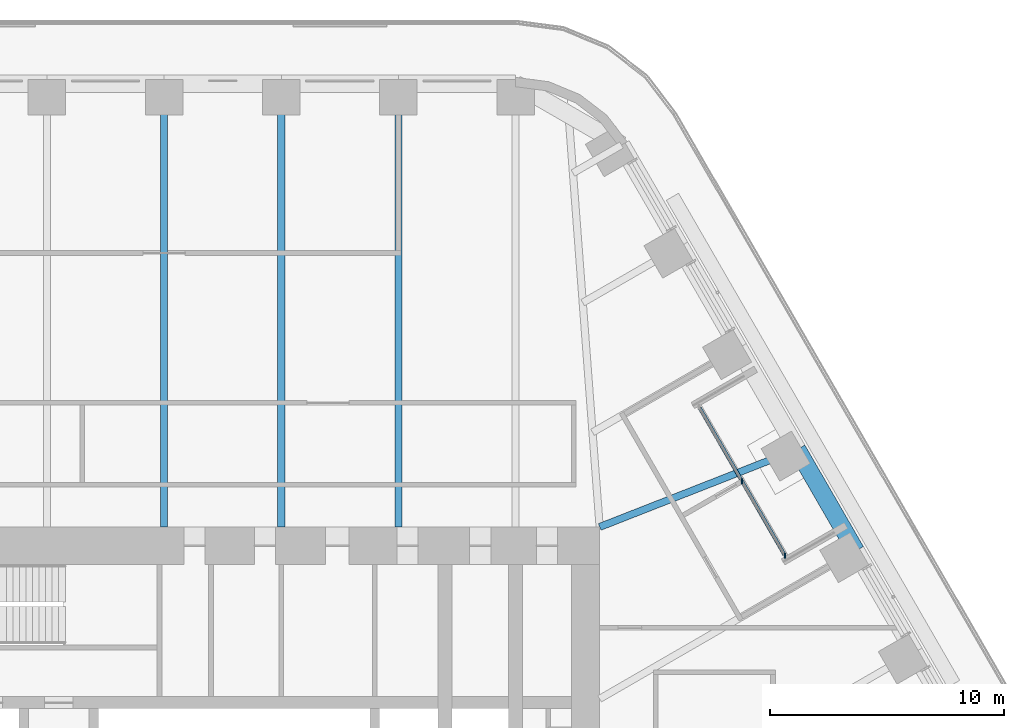
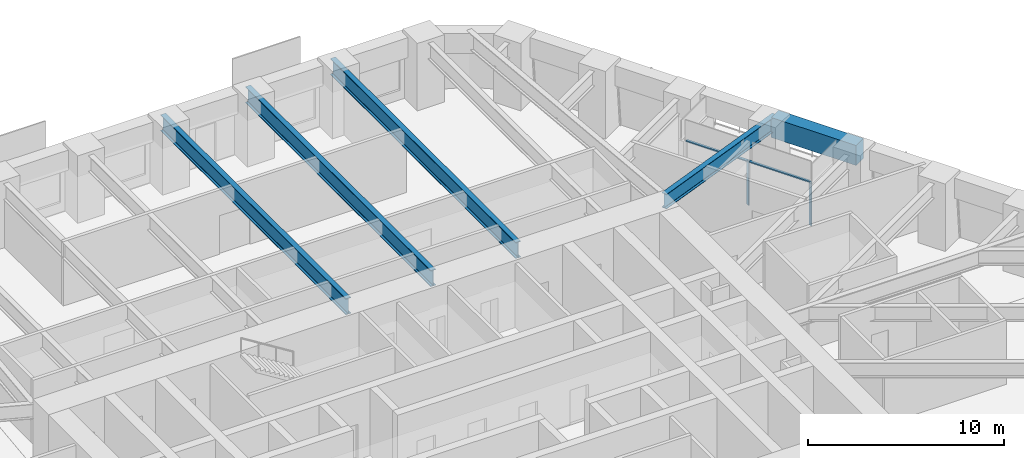
# One storey, part 11 of 24: 5 beams, 3 members, 1 element without a shape of its own.
"""IFC4 building model written with IfcOpenShell, lengths in metres."""

from ifc_helpers import new_model, si_unit, direction, frame, origin, origin_2d, place, context, subcontext, project, spatial, rectangle, i_section, extrude, material, material_profile, profile_set, type_object, element, aggregate, save


model = new_model("IFC4")

# Units and contexts
model_context = context("Model", 3, precision=1e-05, world=origin(), true_north=direction((0.0, 1.0)))
body_context = subcontext(model_context, "Body", "Model", "MODEL_VIEW")
ifc_project = project(units=[si_unit("LENGTHUNIT", "METRE"), si_unit("AREAUNIT", "SQUARE_METRE"), si_unit("VOLUMEUNIT", "CUBIC_METRE"), si_unit("PLANEANGLEUNIT", "RADIAN"), si_unit("MASSUNIT", "GRAM", prefix="KILO")], contexts=[model_context])

# Site, building, storey
site_placement = place(None, origin())
site = spatial("IfcSite", under=ifc_project, at=site_placement, CompositionType="ELEMENT")
building_placement = place(site_placement, origin())
building = spatial("IfcBuilding", under=site, at=building_placement, Name="Tarfa Lantern Tower", CompositionType="ELEMENT")
storey_placement = place(building_placement, frame((0.0, 0.0, 140.5)))
storey = spatial("IfcBuildingStorey", under=building, at=storey_placement, Name="L31", CompositionType="ELEMENT", Elevation=140.5)

# Curtain wall, members
ifc_material_1 = material(Name="Aluminium framed curtain wall", Category="aluminium")
curtain_wall_type = type_object("IfcCurtainWallType", Name="CW10 LOGGIA GLAZING 2750", PredefinedType="USERDEFINED", material=ifc_material_1)
curtain_wall_placement = place(storey_placement, origin())
curtain_wall = element("IfcCurtainWall", 1, at=curtain_wall_placement, inside=storey, type_object=curtain_wall_type, Name="CW10 NEL L31", ObjectType="CURTAIN WALL", PredefinedType="USERDEFINED")
ifc_material_2 = material(Name="Aluminium mullion", Category="aluminium")
ifc_material_profile_1 = material_profile(ifc_material_2, rectangle(XDim=0.06494140625, YDim=0.199951171875, at=origin_2d()), Name="AL MULLION 65x200")
ifc_profile_set_1 = profile_set([ifc_material_profile_1], Name="Aluminium mullion")
member_type_1 = type_object("IfcMemberType", Name="CWM1 MULLION 65x200", PredefinedType="MULLION", material=ifc_profile_set_1)
member_1_placement = place(storey_placement, frame((26.517333984375, 11.070556640625, 0.0), z_axis=(0.0, 0.0, 1.0), x_axis=(1.0, 0.0, 0.0)))
member_1 = element("IfcMember", 2, at=member_1_placement, type_object=member_type_1, Name="CW10 mullion 1", PredefinedType="MULLION", context=body_context, shape_type="SweptSolid", body=[
    extrude(rectangle(XDim=0.06494140625, YDim=0.199951171875, at=origin_2d()), origin(), (0.0, 0.0, 1.0), 2.75),
])
member_2_placement = place(storey_placement, frame((24.681640625, 14.25, 0.0), z_axis=(0.0, 0.0, 1.0), x_axis=(1.0, 0.0, 0.0)))
member_2 = element("IfcMember", 3, at=member_2_placement, type_object=member_type_1, Name="CW10 mullion 2", PredefinedType="MULLION", context=body_context, shape_type="SweptSolid", body=[
    extrude(rectangle(XDim=0.06494140625, YDim=0.199951171875, at=origin_2d()), origin(), (0.0, 0.0, 1.0), 2.75),
])
ifc_material_3 = material(Name="Aluminium transom", Category="aluminium")
ifc_material_profile_2 = material_profile(ifc_material_3, rectangle(XDim=0.14990234375, YDim=0.06494140625, at=origin_2d()), Name="AL TRANSOM 150x65")
ifc_profile_set_2 = profile_set([ifc_material_profile_2], Name="Aluminium transom")
member_type_2 = type_object("IfcMemberType", Name="CWT1 TRANSOM 150x65", PredefinedType="USERDEFINED", material=ifc_profile_set_2)
member_3_placement = place(storey_placement, frame((26.5009765625, 11.098876953125, 2.717529296875), z_axis=(-0.500007048974, 0.866021334019, 0.0), x_axis=(-0.866021334019, -0.500007048974, 0.0)))
member_3 = element("IfcMember", 4, at=member_3_placement, type_object=member_type_2, Name="CW10 transom 1.2", ObjectType="TRANSOM", PredefinedType="USERDEFINED", context=body_context, shape_type="SweptSolid", body=[
    extrude(rectangle(XDim=0.14990234375, YDim=0.06494140625, at=origin_2d()), origin(), (0.0, 0.0, 1.0), 7.27734375),
])
aggregate(curtain_wall, [member_1, member_2, member_3])

# Beams
ifc_material_4 = material(Name="Concrete C80/95", Category="concrete")
ifc_material_profile_3 = material_profile(ifc_material_4, rectangle(XDim=0.75, YDim=1.25, at=origin_2d()), Name="RC 750x1250")
ifc_profile_set_3 = profile_set([ifc_material_profile_3], Name="Concrete C80/95")
beam_type_1 = type_object("IfcBeamType", Name="EB2 RC 750x1250", PredefinedType="SPANDREL", material=ifc_profile_set_3)
beam_1_placement = place(storey_placement, frame((29.5390625, 11.276611328125, 3.375), z_axis=(-0.499964603504, 0.866045838996, 0.0), x_axis=(-0.866045838996, -0.499964603504, 0.0)))
element("IfcBeam", 5, at=beam_1_placement, inside=storey, type_object=beam_type_1, Name="Edge beam NE2", PredefinedType="SPANDREL", context=body_context, shape_type="SweptSolid", body=[
    extrude(rectangle(XDim=0.75, YDim=1.25, at=origin_2d()), origin(), (0.0, 0.0, 1.0), 5.003662109375),
])
ifc_material_5 = material(Name="Steel S460M", Category="steel")
ifc_material_profile_4 = material_profile(ifc_material_5, i_section(OverallWidth=0.302001953125, OverallDepth=1.008056640625, WebThickness=0.02099609375, FlangeThickness=0.0400390625, FilletRadius=0.030029296875, at=origin_2d()), Name="UB1016x305x349")
ifc_profile_set_4 = profile_set([ifc_material_profile_4], Name="Steel S460M")
beam_type_2 = type_object("IfcBeamType", Name="UB1016x305x349", PredefinedType="BEAM", material=ifc_profile_set_4)
for number, where, z_axis, x_axis, name in (
    (6, (10.00732421875, 31.219970703125, 3.495849609375), (0.0, -1.0, 0.0), (1.0, 0.0, 0.0), "Floor beam N1"),
    (7, (5.003662109375, 31.219970703125, 3.495849609375), (0.0, -1.0, 0.0), (1.0, 0.0, 0.0), "Floor beam N2"),
    (8, (0.0, 31.219970703125, 3.495849609375), (0.0, -1.0, 0.0), (1.0, 0.0, 0.0), "Floor beam N3"),
):
    element("IfcBeam", number, at=place(storey_placement, frame(where, z_axis=z_axis, x_axis=x_axis)), inside=storey, type_object=beam_type_2, Name=name, PredefinedType="BEAM", context=body_context, shape_type="SweptSolid", body=[
        extrude(i_section(OverallWidth=0.302001953125, OverallDepth=1.008056640625, WebThickness=0.02099609375, FlangeThickness=0.0400390625, FilletRadius=0.030029296875, at=origin_2d()), origin(), (0.0, 0.0, 1.0), 18.919921875),
    ])
ifc_material_profile_5 = material_profile(ifc_material_5, i_section(OverallWidth=0.305419921875, OverallDepth=0.91845703125, WebThickness=0.017333984375, FlangeThickness=0.02783203125, FilletRadius=0.01904296875, at=origin_2d()), Name="UB914x305x253")
ifc_profile_set_5 = profile_set([ifc_material_profile_5], Name="Steel S460M")
beam_type_3 = type_object("IfcBeamType", Name="UB914x305x253", PredefinedType="BEAM", material=ifc_profile_set_5)
beam_2_placement = place(storey_placement, frame((27.037353515625, 15.610107421875, 3.540771484375), z_axis=(-0.930923282782, -0.365214788274, 0.0), x_axis=(0.365214788274, -0.930923282782, 0.0)))
element("IfcBeam", 9, at=beam_2_placement, inside=storey, type_object=beam_type_3, Name="Floor beam NE3", PredefinedType="BEAM", context=body_context, shape_type="SweptSolid", body=[
    extrude(i_section(OverallWidth=0.305419921875, OverallDepth=0.91845703125, WebThickness=0.017333984375, FlangeThickness=0.02783203125, FilletRadius=0.01904296875, at=origin_2d()), origin(), (0.0, 0.0, 1.0), 9.063232421875),
])

save(model, "model.ifc")
